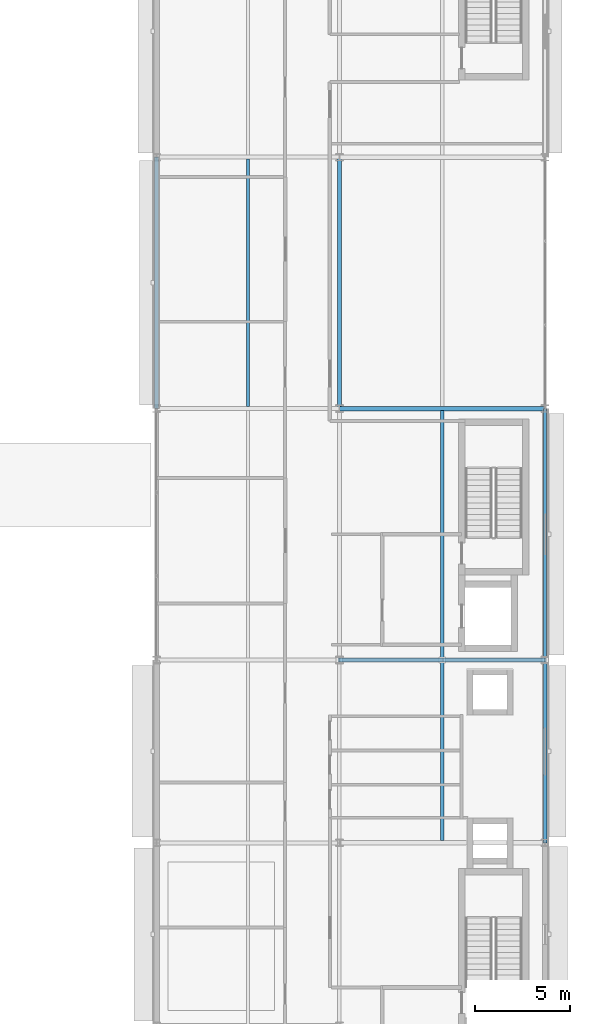
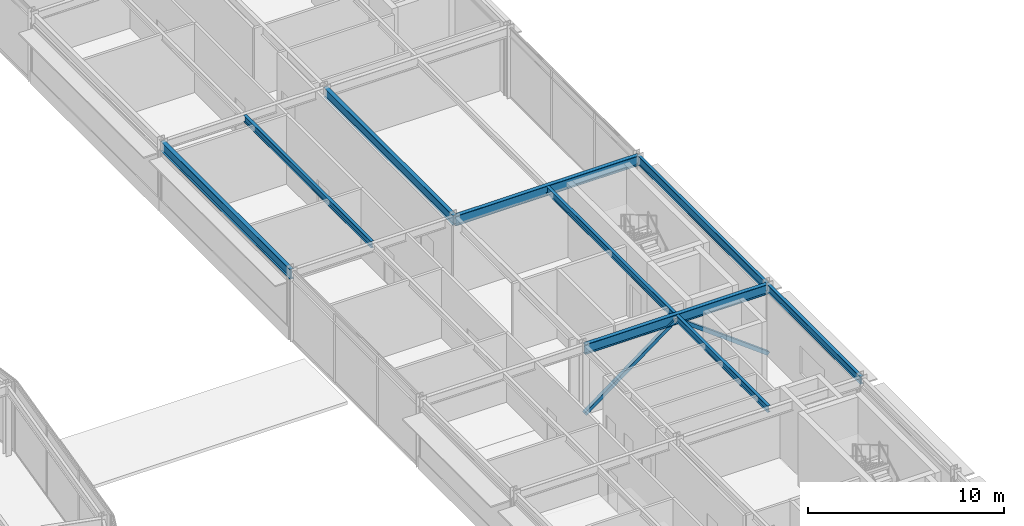
# One storey, part 89 of 133: 9 beams, 2 members.
"""IFC4 building model written with IfcOpenShell, lengths in metres."""

from ifc_helpers import new_model, si_unit, direction, frame, origin, origin_2d, place, context, subcontext, project, spatial, hollow_rectangle, i_section, extrude, material, material_profile, profile_set, type_object, element, save


model = new_model("IFC4")

# Units and contexts
model_context = context("Model", 3, precision=1e-05, world=origin(), true_north=direction((0.0, 1.0)))
body_context = subcontext(model_context, "Body", "Model", "MODEL_VIEW")
ifc_project = project(units=[si_unit("LENGTHUNIT", "METRE"), si_unit("AREAUNIT", "SQUARE_METRE"), si_unit("VOLUMEUNIT", "CUBIC_METRE"), si_unit("PLANEANGLEUNIT", "RADIAN"), si_unit("MASSUNIT", "GRAM", prefix="KILO")], contexts=[model_context])

# Site, building, storey
site_placement = place(None, origin())
site = spatial("IfcSite", under=ifc_project, at=site_placement, CompositionType="ELEMENT")
building_placement = place(site_placement, origin())
building = spatial("IfcBuilding", under=site, at=building_placement, Name="Almandine Court Research Institute", CompositionType="ELEMENT")
storey_placement = place(building_placement, frame((0.0, 0.0, 9.800048828125)))
storey = spatial("IfcBuildingStorey", under=building, at=storey_placement, Name="L02", CompositionType="ELEMENT", Elevation=9.800048828125)

# Beams
ifc_material_1 = material(Name="Steel ASTM A992 Grade 50", Category="steel")
ifc_material_profile_1 = material_profile(ifc_material_1, i_section(OverallWidth=0.178955078125, OverallDepth=0.409912109375, WebThickness=0.009033203125, FlangeThickness=0.013916015625, at=origin_2d()), Name="W410x67")
ifc_profile_set_1 = profile_set([ifc_material_profile_1], Name="Steel ASTM A992 Grade 50")
beam_type_1 = type_object("IfcBeamType", Name="Beam-B-02", PredefinedType="JOIST", material=ifc_profile_set_1)
beam_1_placement = place(storey_placement, frame((168.60009765625, 34.9130859375, 4.1650390625), z_axis=(0.0, 1.0, 0.0), x_axis=(-1.0, 0.0, 0.0)))
element("IfcBeam", 1, at=beam_1_placement, inside=storey, type_object=beam_type_1, Name="L02 V4 Composite Secondary Beam", PredefinedType="JOIST", context=body_context, shape_type="SweptSolid", body=[
    extrude(i_section(OverallWidth=0.178955078125, OverallDepth=0.409912109375, WebThickness=0.009033203125, FlangeThickness=0.013916015625, at=origin_2d()), origin(), (0.0, 0.0, 1.0), 9.3740234375),
])
beam_2_placement = place(storey_placement, frame((168.60009765625, 44.512939453125, 4.1650390625), z_axis=(0.0, 1.0, 0.0), x_axis=(-1.0, 0.0, 0.0)))
element("IfcBeam", 2, at=beam_2_placement, inside=storey, type_object=beam_type_1, Name="L02 V4 Composite Secondary Beam", PredefinedType="JOIST", context=body_context, shape_type="SweptSolid", body=[
    extrude(i_section(OverallWidth=0.178955078125, OverallDepth=0.409912109375, WebThickness=0.009033203125, FlangeThickness=0.013916015625, at=origin_2d()), origin(), (0.0, 0.0, 1.0), 12.97412109375),
])
beam_3_placement = place(storey_placement, frame((158.39990234375, 57.702880859375, 4.1650390625), z_axis=(0.0, 1.0, 0.0), x_axis=(-1.0, 0.0, 0.0)))
element("IfcBeam", 3, at=beam_3_placement, inside=storey, type_object=beam_type_1, Name="L02 V4 Composite Secondary Beam", PredefinedType="JOIST", context=body_context, shape_type="SweptSolid", body=[
    extrude(i_section(OverallWidth=0.178955078125, OverallDepth=0.409912109375, WebThickness=0.009033203125, FlangeThickness=0.013916015625, at=origin_2d()), origin(), (0.0, 0.0, 1.0), 12.994140625),
])
ifc_material_profile_2 = material_profile(ifc_material_1, i_section(OverallWidth=0.22998046875, OverallDepth=0.616943359375, WebThickness=0.012939453125, FlangeThickness=0.02197265625, at=origin_2d()), Name="W610x140")
ifc_profile_set_2 = profile_set([ifc_material_profile_2], Name="Steel ASTM A992 Grade 50")
beam_type_2 = type_object("IfcBeamType", Name="Beam-G-02", PredefinedType="BEAM", material=ifc_profile_set_2)
for number, where, z_axis, x_axis, name in (
    (4, (163.199951171875, 44.39990234375, 4.06103515625), (1.0, 0.0, 0.0), (0.0, 1.0, 0.0), "L02 V4 Primary X Girder"),
    (5, (163.199951171875, 57.60009765625, 4.06103515625), (1.0, 0.0, 0.0), (0.0, 1.0, 0.0), "L02 V4 Primary X Girder"),
):
    element("IfcBeam", number, at=place(storey_placement, frame(where, z_axis=z_axis, x_axis=x_axis)), inside=storey, type_object=beam_type_2, Name=name, PredefinedType="BEAM", context=body_context, shape_type="SweptSolid", body=[
        extrude(i_section(OverallWidth=0.22998046875, OverallDepth=0.616943359375, WebThickness=0.012939453125, FlangeThickness=0.02197265625, at=origin_2d()), origin(), (0.0, 0.0, 1.0), 10.800048828125),
    ])
ifc_material_profile_3 = material_profile(ifc_material_1, i_section(OverallWidth=0.22802734375, OverallDepth=0.60791015625, WebThickness=0.010986328125, FlangeThickness=0.01708984375, at=origin_2d()), Name="W610x113")
ifc_profile_set_3 = profile_set([ifc_material_profile_3], Name="Steel ASTM A992 Grade 50")
beam_type_3 = type_object("IfcBeamType", Name="Beam-G-03", PredefinedType="BEAM", material=ifc_profile_set_3)
for number, where, z_axis, x_axis, name in (
    (6, (153.60009765625, 57.60009765625, 4.06591796875), (0.0, 1.0, 0.0), (-1.0, 0.0, 0.0), "L02 V4 Primary Y Girder"),
    (7, (163.199951171875, 57.60009765625, 4.06591796875), (0.0, 1.0, 0.0), (-1.0, 0.0, 0.0), "L02 V4 Primary Y Girder"),
):
    element("IfcBeam", number, at=place(storey_placement, frame(where, z_axis=z_axis, x_axis=x_axis)), inside=storey, type_object=beam_type_3, Name=name, PredefinedType="BEAM", context=body_context, shape_type="SweptSolid", body=[
        extrude(i_section(OverallWidth=0.22802734375, OverallDepth=0.60791015625, WebThickness=0.010986328125, FlangeThickness=0.01708984375, at=origin_2d()), origin(), (0.0, 0.0, 1.0), 13.199951171875),
    ])
ifc_material_profile_4 = material_profile(ifc_material_1, i_section(OverallWidth=0.166015625, OverallDepth=0.534912109375, WebThickness=0.010009765625, FlangeThickness=0.01708984375, at=origin_2d()), Name="W530x85")
ifc_profile_set_4 = profile_set([ifc_material_profile_4], Name="Steel ASTM A992 Grade 50")
beam_type_4 = type_object("IfcBeamType", Name="Beam-G-05-E", PredefinedType="SPANDREL", material=ifc_profile_set_4)
beam_4_placement = place(storey_placement, frame((174.0, 44.39990234375, 4.10205078125), z_axis=(0.0, 1.0, 0.0), x_axis=(-1.0, 0.0, 0.0)))
element("IfcBeam", 8, at=beam_4_placement, inside=storey, type_object=beam_type_4, Name="L02 V4 Primary Y Girder", PredefinedType="SPANDREL", context=body_context, shape_type="SweptSolid", body=[
    extrude(i_section(OverallWidth=0.166015625, OverallDepth=0.534912109375, WebThickness=0.010009765625, FlangeThickness=0.01708984375, at=origin_2d()), origin(), (0.0, 0.0, 1.0), 13.2001953125),
])
ifc_material_profile_5 = material_profile(ifc_material_1, i_section(OverallWidth=0.193115234375, OverallDepth=0.466064453125, WebThickness=0.010986328125, FlangeThickness=0.01904296875, at=origin_2d()), Name="W460x97")
ifc_profile_set_5 = profile_set([ifc_material_profile_5], Name="Steel ASTM A992 Grade 50")
beam_type_5 = type_object("IfcBeamType", Name="Beam-G-06-E", PredefinedType="SPANDREL", material=ifc_profile_set_5)
beam_5_placement = place(storey_placement, frame((174.0, 34.800048828125, 4.136962890625), z_axis=(0.0, 1.0, 0.0), x_axis=(-1.0, 0.0, 0.0)))
element("IfcBeam", 9, at=beam_5_placement, inside=storey, type_object=beam_type_5, Name="L02 V4 Primary Y Girder", PredefinedType="SPANDREL", context=body_context, shape_type="SweptSolid", body=[
    extrude(i_section(OverallWidth=0.193115234375, OverallDepth=0.466064453125, WebThickness=0.010986328125, FlangeThickness=0.01904296875, at=origin_2d()), origin(), (0.0, 0.0, 1.0), 9.599853515625),
])

# Members
ifc_material_2 = material(Name="Steel ASTM A500 Grade C", Category="steel")
ifc_material_profile_6 = material_profile(ifc_material_2, hollow_rectangle(XDim=0.219970703125, YDim=0.219970703125, WallThickness=0.010009765625, at=origin_2d()), Name="HSS 220x220x10")
ifc_profile_set_6 = profile_set([ifc_material_profile_6], Name="Steel ASTM A500 Grade C")
member_type = type_object("IfcMemberType", Name="Mem-BF-BR1", PredefinedType="BRACE", material=ifc_profile_set_6)
for number, where, z_axis, x_axis, name in (
    (10, (163.199951171875, 44.39990234375, 0.02001953125), (0.801428188232, 0.0, 0.598091012394), (0.0, 1.0, 0.0), "L02 Seismic Chevron Brace V4-BF2 Left"),
    (11, (174.0, 44.39990234375, 0.02001953125), (-0.801415226812, 0.0, 0.598108380007), (0.0, -1.0, 0.0), "L02 Seismic Chevron Brace V4-BF2 Right"),
):
    element("IfcMember", number, at=place(storey_placement, frame(where, z_axis=z_axis, x_axis=x_axis)), inside=storey, type_object=member_type, Name=name, PredefinedType="BRACE", context=body_context, shape_type="SweptSolid", body=[
        extrude(hollow_rectangle(XDim=0.219970703125, YDim=0.219970703125, WallThickness=0.010009765625, at=origin_2d()), origin(), (0.0, 0.0, 1.0), 6.738037109375),
    ])

save(model, "model.ifc")
